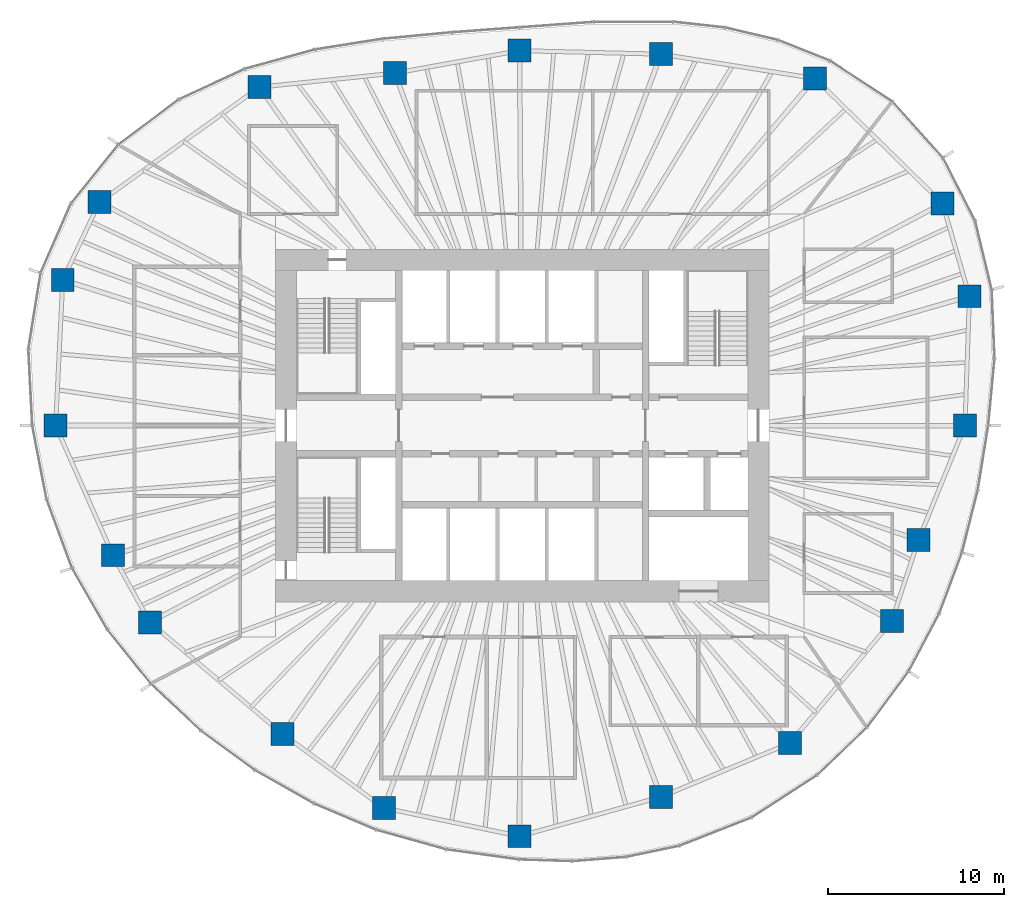
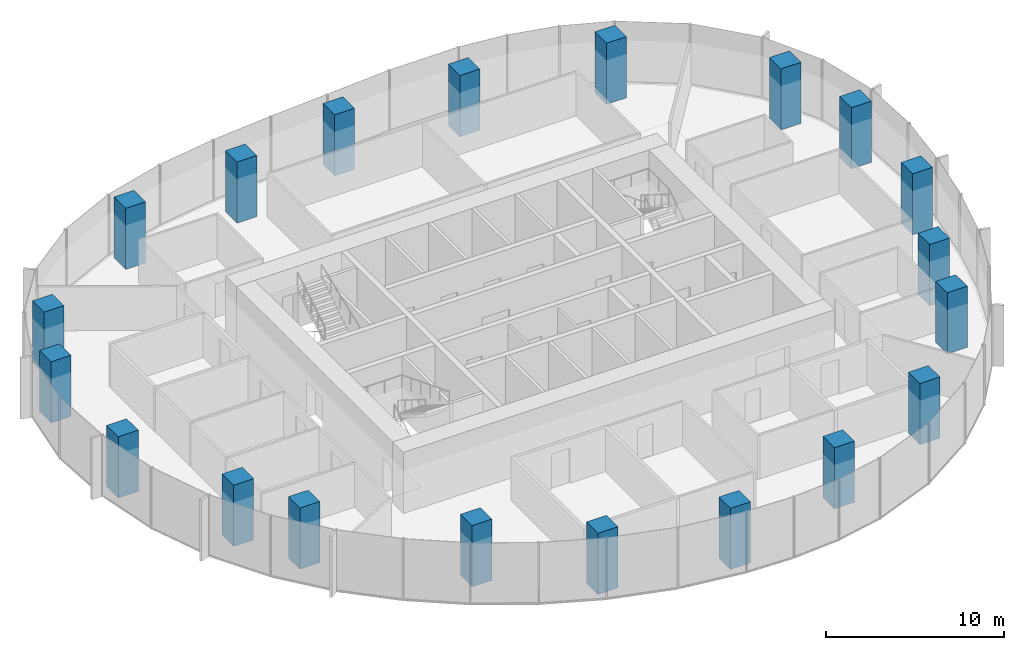
# One storey, part 1 of 12: 20 columns.
"""IFC4 building model written with IfcOpenShell, lengths in metres."""

from ifc_helpers import new_model, si_unit, direction, frame, origin, origin_2d, place, context, subcontext, project, spatial, rectangle, extrude, material, material_profile, profile_set, type_object, element, save


model = new_model("IFC4")

# Units and contexts
model_context = context("Model", 3, precision=1e-05, world=origin(), true_north=direction((0.0, 1.0)))
body_context = subcontext(model_context, "Body", "Model", "MODEL_VIEW")
ifc_project = project(units=[si_unit("LENGTHUNIT", "METRE"), si_unit("AREAUNIT", "SQUARE_METRE"), si_unit("VOLUMEUNIT", "CUBIC_METRE"), si_unit("PLANEANGLEUNIT", "RADIAN"), si_unit("MASSUNIT", "GRAM", prefix="KILO")], contexts=[model_context])

# Site, building, storey
site_placement = place(None, origin())
site = spatial("IfcSite", under=ifc_project, at=site_placement, CompositionType="ELEMENT")
building_placement = place(site_placement, origin())
building = spatial("IfcBuilding", under=site, at=building_placement, Name="Ghaith Harvest Tower", CompositionType="ELEMENT")
storey_placement = place(building_placement, frame((0.0, 0.0, 224.199951171875)))
storey = spatial("IfcBuildingStorey", under=building, at=storey_placement, Name="L49", CompositionType="ELEMENT", Elevation=224.199951171875)

# Columns
ifc_material = material(Name="Concrete C60/75", Category="concrete")
ifc_material_profile = material_profile(ifc_material, rectangle(XDim=1.300048828125, YDim=1.300048828125, at=origin_2d()), Name="RC1300X1300")
ifc_profile_set = profile_set([ifc_material_profile], Name="Concrete C60/75")
column_type = type_object("IfcColumnType", Name="TC5 RC1300X1300", PredefinedType="COLUMN", material=ifc_profile_set)
for number, where, z_axis, x_axis, name in (
    (1, (25.125, 0.0, 0.0), (0.0, 0.0, 1.0), (1.0, 0.0, 0.0), "Perimeter column C01"),
    (2, (25.3779296875, 7.3349609375, 0.0), (0.0, 0.0, 1.0), (1.0, 0.0, 0.0), "Perimeter column C02"),
    (3, (23.85205078125, 12.60693359375, 0.0), (0.0, 0.0, 1.0), (1.0, 0.0, 0.0), "Perimeter column C03"),
    (4, (16.60791015625, 19.695068359375, 0.0), (0.0, 0.0, 1.0), (1.0, 0.0, 0.0), "Perimeter column C04"),
    (5, (7.8779296875, 21.072021484375, 0.0), (0.0, 0.0, 1.0), (1.0, 0.0, 0.0), "Perimeter column C05"),
    (6, (-0.14599609375, 21.27099609375, 0.0), (0.0, 0.0, 1.0), (1.0, 0.0, 0.0), "Perimeter column C06"),
    (7, (-7.221923828125, 19.9970703125, 0.0), (0.0, 0.0, 1.0), (1.0, 0.0, 0.0), "Perimeter column C07"),
    (8, (-14.910888671875, 19.199951171875, 0.0), (0.0, 0.0, 1.0), (1.0, 0.0, 0.0), "Perimeter column C08"),
    (9, (-23.986083984375, 12.677978515625, 0.0), (0.0, 0.0, 1.0), (1.0, 0.0, 0.0), "Perimeter column C09"),
    (10, (-26.06689453125, 8.260986328125, 0.0), (0.0, 0.0, 1.0), (1.0, 0.0, 0.0), "Perimeter column C10"),
    (11, (-26.47509765625, 0.0, 0.0), (0.0, 0.0, 1.0), (1.0, 0.0, 0.0), "Perimeter column C11"),
    (12, (-23.22412109375, -7.360107421875, 0.0), (0.0, 0.0, 1.0), (1.0, 0.0, 0.0), "Perimeter column C12"),
    (13, (-21.125, -11.166015625, 0.0), (0.0, 0.0, 1.0), (1.0, 0.0, 0.0), "Perimeter column C13"),
    (14, (-13.594970703125, -17.5048828125, 0.0), (0.0, 0.0, 1.0), (1.0, 0.0, 0.0), "Perimeter column C14"),
    (15, (-7.837890625, -21.699951171875, 0.0), (0.0, 0.0, 1.0), (1.0, 0.0, 0.0), "Perimeter column C15"),
    (16, (-0.158935546875, -23.304931640625, 0.0), (0.0, 0.0, 1.0), (1.0, 0.0, 0.0), "Perimeter column C16"),
    (17, (7.8779296875, -21.072021484375, 0.0), (0.0, 0.0, 1.0), (1.0, 0.0, 0.0), "Perimeter column C17"),
    (18, (15.197998046875, -18.02294921875, 0.0), (0.0, 0.0, 1.0), (1.0, 0.0, 0.0), "Perimeter column C18"),
    (19, (20.97705078125, -11.087890625, 0.0), (0.0, 0.0, 1.0), (1.0, 0.0, 0.0), "Perimeter column C19"),
    (20, (22.485107421875, -6.4990234375, 0.0), (0.0, 0.0, 1.0), (1.0, 0.0, 0.0), "Perimeter column C20"),
):
    element("IfcColumn", number, at=place(storey_placement, frame(where, z_axis=z_axis, x_axis=x_axis)), inside=storey, type_object=column_type, Name=name, PredefinedType="COLUMN", context=body_context, shape_type="SweptSolid", body=[
        extrude(rectangle(XDim=1.300048828125, YDim=1.300048828125, at=origin_2d()), origin(), (0.0, 0.0, 1.0), 4.199951171875),
    ])

save(model, "model.ifc")
